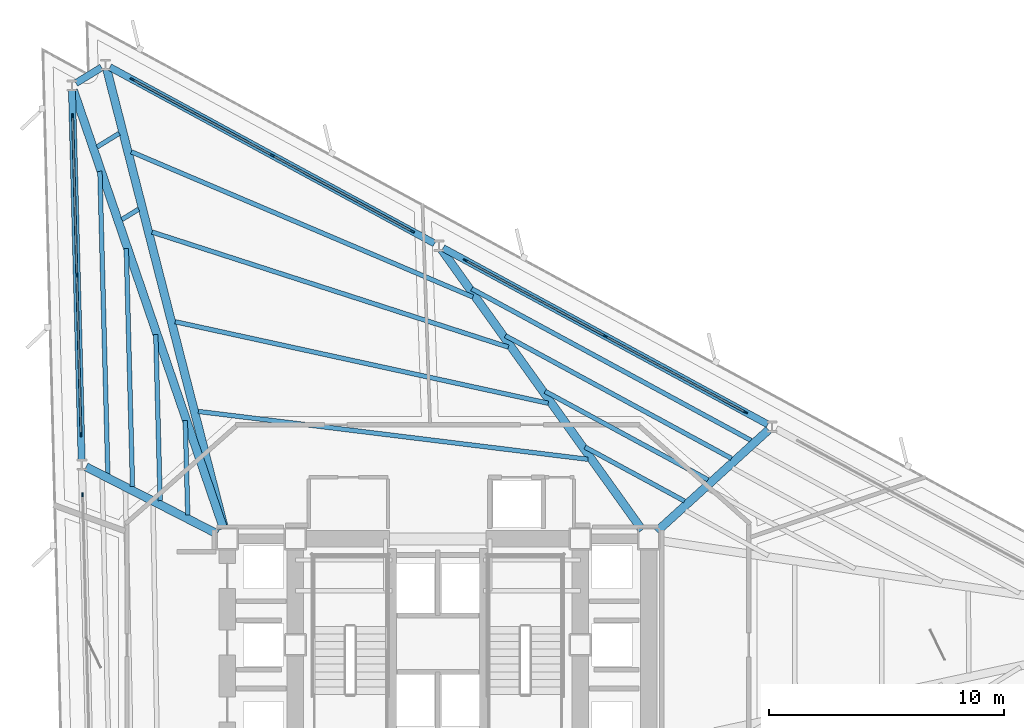
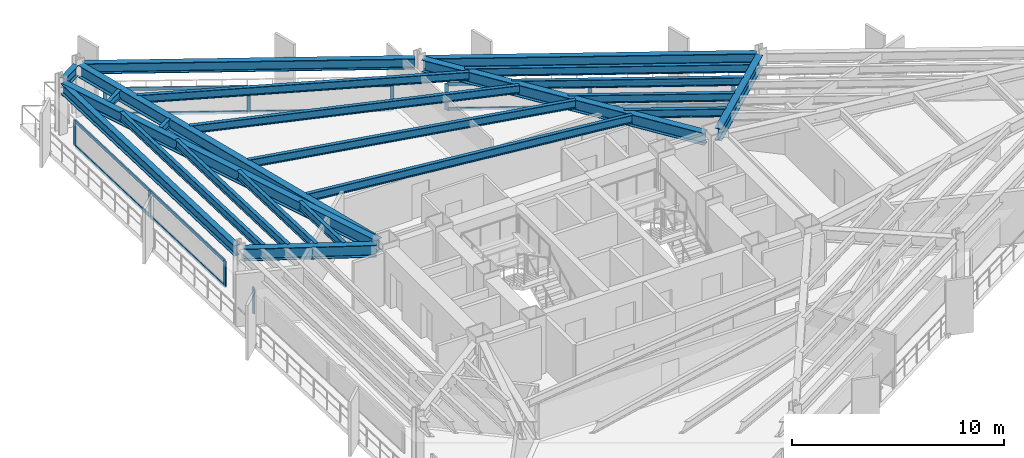
# One storey, part 5 of 14: 23 beams, 22 members, 4 elements without a shape of their own.
"""IFC4 building model written with IfcOpenShell, lengths in metres."""

from ifc_helpers import new_model, si_unit, direction, frame, origin, origin_2d, place, context, subcontext, project, spatial, rectangle, i_section, extrude, material, layer, layer_set, material_profile, profile_set, type_object, element, aggregate, save


model = new_model("IFC4")

# Units and contexts
model_context = context("Model", 3, precision=1e-05, world=origin(), true_north=direction((0.0, 1.0)))
body_context = subcontext(model_context, "Body", "Model", "MODEL_VIEW")
ifc_project = project(units=[si_unit("LENGTHUNIT", "METRE"), si_unit("AREAUNIT", "SQUARE_METRE"), si_unit("VOLUMEUNIT", "CUBIC_METRE"), si_unit("PLANEANGLEUNIT", "RADIAN"), si_unit("MASSUNIT", "GRAM", prefix="KILO")], contexts=[model_context])

# Site, building, storey
site_placement = place(None, origin())
site = spatial("IfcSite", under=ifc_project, at=site_placement, CompositionType="ELEMENT")
building_placement = place(site_placement, origin())
building = spatial("IfcBuilding", under=site, at=building_placement, Name="Rocaltana Carrier Exchange", CompositionType="ELEMENT")
storey_placement = place(building_placement, frame((0.0, 0.0, 42.39990234375)))
storey = spatial("IfcBuildingStorey", under=building, at=storey_placement, Name="L13", CompositionType="ELEMENT", Elevation=42.39990234375)

# Curtain wall, members
ifc_material_1 = material(Name="Aluminium 6063-T6", Category="aluminium")
ifc_layer = layer(ifc_material_1, 0.179931640625)
ifc_layer_set = layer_set([ifc_layer], Name="Aluminium 6063-T6")
curtain_wall_type = type_object("IfcCurtainWallType", Name="Sandstone Spandrel Unitised Curtain Wall CW-01", PredefinedType="NOTDEFINED", material=ifc_layer_set)
curtain_wall_1_placement = place(storey_placement, origin())
curtain_wall_1 = element("IfcCurtainWall", 1, at=curtain_wall_1_placement, inside=storey, type_object=curtain_wall_type, Name="L13 CW-01 Run CW-L13-F1S2", PredefinedType="NOTDEFINED")
ifc_material_2 = material(Name="Aluminium 6063-T6", Category="aluminium")
ifc_material_profile_1 = material_profile(ifc_material_2, rectangle(XDim=0.06494140625, YDim=0.179931640625, at=origin_2d()), Name="AL-65X180")
ifc_profile_set_1 = profile_set([ifc_material_profile_1], Name="Aluminium 6063-T6")
member_type_1 = type_object("IfcMemberType", Name="CW-01 Mullion AL-65X180", PredefinedType="MULLION", material=ifc_profile_set_1)
member_1_placement = place(storey_placement, frame((13.064697265625, 9.87890625, 0.0), z_axis=(0.0, 0.0, 1.0), x_axis=(-0.477164068636, -0.878814230428, 0.0)))
member_1 = element("IfcMember", 2, at=member_1_placement, type_object=member_type_1, Name="CW-01 mullion 1", PredefinedType="MULLION", context=body_context, shape_type="SweptSolid", body=[
    extrude(rectangle(XDim=0.06494140625, YDim=0.179931640625, at=origin_2d()), origin(), (0.0, 0.0, 1.0), 1.498046875),
])
member_2_placement = place(storey_placement, frame((7.1171875, 13.108154296875, 0.0), z_axis=(0.0, 0.0, 1.0), x_axis=(-0.477164068636, -0.878814230428, 0.0)))
member_2 = element("IfcMember", 3, at=member_2_placement, type_object=member_type_1, Name="CW-01 mullion 2", PredefinedType="MULLION", context=body_context, shape_type="SweptSolid", body=[
    extrude(rectangle(XDim=0.06494140625, YDim=0.179931640625, at=origin_2d()), origin(), (0.0, 0.0, 1.0), 1.498046875),
])
member_3_placement = place(storey_placement, frame((1.169677734375, 16.33740234375, 0.0), z_axis=(0.0, 0.0, 1.0), x_axis=(-0.477164068636, -0.878814230428, 0.0)))
member_3 = element("IfcMember", 4, at=member_3_placement, type_object=member_type_1, Name="CW-01 mullion 3", PredefinedType="MULLION", context=body_context, shape_type="SweptSolid", body=[
    extrude(rectangle(XDim=0.06494140625, YDim=0.179931640625, at=origin_2d()), origin(), (0.0, 0.0, 1.0), 1.498046875),
])

curtain_wall_2_placement = place(storey_placement, origin())
curtain_wall_2 = element("IfcCurtainWall", 5, at=curtain_wall_2_placement, inside=storey, type_object=curtain_wall_type, Name="L13 CW-01 Run CW-L13-F1S3", PredefinedType="NOTDEFINED")
member_4_placement = place(storey_placement, frame((-1.08447265625, 17.5615234375, 0.0), z_axis=(0.0, 0.0, 1.0), x_axis=(-0.477155794406, -0.878818722982, 0.0)))
member_4 = element("IfcMember", 6, at=member_4_placement, type_object=member_type_1, Name="CW-01 mullion 1", PredefinedType="MULLION", context=body_context, shape_type="SweptSolid", body=[
    extrude(rectangle(XDim=0.06494140625, YDim=0.179931640625, at=origin_2d()), origin(), (0.0, 0.0, 1.0), 1.498046875),
])
member_5_placement = place(storey_placement, frame((-7.03173828125, 20.79052734375, 0.0), z_axis=(0.0, 0.0, 1.0), x_axis=(-0.477155794406, -0.878818722982, 0.0)))
member_5 = element("IfcMember", 7, at=member_5_placement, type_object=member_type_1, Name="CW-01 mullion 2", PredefinedType="MULLION", context=body_context, shape_type="SweptSolid", body=[
    extrude(rectangle(XDim=0.06494140625, YDim=0.179931640625, at=origin_2d()), origin(), (0.0, 0.0, 1.0), 1.498046875),
])
member_6_placement = place(storey_placement, frame((-12.979248046875, 24.019775390625, 0.0), z_axis=(0.0, 0.0, 1.0), x_axis=(-0.477155794406, -0.878818722982, 0.0)))
member_6 = element("IfcMember", 8, at=member_6_placement, type_object=member_type_1, Name="CW-01 mullion 3", PredefinedType="MULLION", context=body_context, shape_type="SweptSolid", body=[
    extrude(rectangle(XDim=0.06494140625, YDim=0.179931640625, at=origin_2d()), origin(), (0.0, 0.0, 1.0), 1.498046875),
])

curtain_wall_3_placement = place(storey_placement, origin())
curtain_wall_3 = element("IfcCurtainWall", 9, at=curtain_wall_3_placement, inside=storey, type_object=curtain_wall_type, Name="L13 CW-01 Run CW-L13-F2S1", PredefinedType="NOTDEFINED")
member_7_placement = place(storey_placement, frame((-15.50927734375, 22.46923828125, 0.0), z_axis=(0.0, 0.0, 1.0), x_axis=(0.999657143044, 0.026183895077, 0.0)))
member_7 = element("IfcMember", 10, at=member_7_placement, type_object=member_type_1, Name="CW-01 mullion 1", PredefinedType="MULLION", context=body_context, shape_type="SweptSolid", body=[
    extrude(rectangle(XDim=0.06494140625, YDim=0.179931640625, at=origin_2d()), origin(), (0.0, 0.0, 1.0), 1.498046875),
])
member_8_placement = place(storey_placement, frame((-15.33203125, 15.7041015625, 0.0), z_axis=(0.0, 0.0, 1.0), x_axis=(0.999657143044, 0.026183895077, 0.0)))
member_8 = element("IfcMember", 11, at=member_8_placement, type_object=member_type_1, Name="CW-01 mullion 2", PredefinedType="MULLION", context=body_context, shape_type="SweptSolid", body=[
    extrude(rectangle(XDim=0.06494140625, YDim=0.179931640625, at=origin_2d()), origin(), (0.0, 0.0, 1.0), 1.498046875),
])
member_9_placement = place(storey_placement, frame((-15.155029296875, 8.93896484375, 0.0), z_axis=(0.0, 0.0, 1.0), x_axis=(0.999657143044, 0.026183895077, 0.0)))
member_9 = element("IfcMember", 12, at=member_9_placement, type_object=member_type_1, Name="CW-01 mullion 3", PredefinedType="MULLION", context=body_context, shape_type="SweptSolid", body=[
    extrude(rectangle(XDim=0.06494140625, YDim=0.179931640625, at=origin_2d()), origin(), (0.0, 0.0, 1.0), 1.498046875),
])

# Curtain wall, member
curtain_wall_4_placement = place(storey_placement, origin())
curtain_wall_4 = element("IfcCurtainWall", 13, at=curtain_wall_4_placement, inside=storey, type_object=curtain_wall_type, Name="L13 CW-01 Run CW-L13-F2S2", PredefinedType="NOTDEFINED")
member_10_placement = place(storey_placement, frame((-15.087890625, 6.374755859375, 0.0), z_axis=(0.0, 0.0, 1.0), x_axis=(0.99965733548, 0.026176547142, 0.0)))
member_10 = element("IfcMember", 14, at=member_10_placement, type_object=member_type_1, Name="CW-01 mullion 1", PredefinedType="MULLION", context=body_context, shape_type="SweptSolid", body=[
    extrude(rectangle(XDim=0.06494140625, YDim=0.179931640625, at=origin_2d()), origin(), (0.0, 0.0, 1.0), 1.498046875),
])
aggregate(curtain_wall_4, [member_10])

# Member
ifc_material_3 = material(Name="Aluminium 6063-T6", Category="aluminium")
ifc_material_profile_2 = material_profile(ifc_material_3, rectangle(XDim=0.06494140625, YDim=0.179931640625, at=origin_2d()), Name="AL-65X180")
ifc_profile_set_2 = profile_set([ifc_material_profile_2], Name="Aluminium 6063-T6")
member_type_2 = type_object("IfcMemberType", Name="CW-01 Transom AL-65X180", PredefinedType="USERDEFINED", material=ifc_profile_set_2)
member_11_placement = place(storey_placement, frame((13.0361328125, 9.89453125, 0.03271484375), z_axis=(-0.878815465576, 0.477161793802, 0.0), x_axis=(-0.477161793802, -0.878815465576, 0.0)))
member_11 = element("IfcMember", 15, at=member_11_placement, type_object=member_type_2, Name="CW-01 transom 1.1", ObjectType="TRANSOM", PredefinedType="USERDEFINED", context=body_context, shape_type="SweptSolid", body=[
    extrude(rectangle(XDim=0.06494140625, YDim=0.179931640625, at=origin_2d()), origin(), (0.0, 0.0, 1.0), 6.70263671875),
])

member_12_placement = place(storey_placement, frame((13.0361328125, 9.89453125, 1.465576171875), z_axis=(-0.878815465576, 0.477161793802, 0.0), x_axis=(-0.477161793802, -0.878815465576, 0.0)))
member_12 = element("IfcMember", 16, at=member_12_placement, type_object=member_type_2, Name="CW-01 transom 1.2", ObjectType="TRANSOM", PredefinedType="USERDEFINED", context=body_context, shape_type="SweptSolid", body=[
    extrude(rectangle(XDim=0.06494140625, YDim=0.179931640625, at=origin_2d()), origin(), (0.0, 0.0, 1.0), 6.70263671875),
])

member_13_placement = place(storey_placement, frame((7.088623046875, 13.123779296875, 0.03271484375), z_axis=(-0.878815465576, 0.477161793802, 0.0), x_axis=(-0.477161793802, -0.878815465576, 0.0)))
member_13 = element("IfcMember", 17, at=member_13_placement, type_object=member_type_2, Name="CW-01 transom 2.1", ObjectType="TRANSOM", PredefinedType="USERDEFINED", context=body_context, shape_type="SweptSolid", body=[
    extrude(rectangle(XDim=0.06494140625, YDim=0.179931640625, at=origin_2d()), origin(), (0.0, 0.0, 1.0), 6.70263671875),
])

member_14_placement = place(storey_placement, frame((7.088623046875, 13.123779296875, 1.465576171875), z_axis=(-0.878815465576, 0.477161793802, 0.0), x_axis=(-0.477161793802, -0.878815465576, 0.0)))
member_14 = element("IfcMember", 18, at=member_14_placement, type_object=member_type_2, Name="CW-01 transom 2.2", ObjectType="TRANSOM", PredefinedType="USERDEFINED", context=body_context, shape_type="SweptSolid", body=[
    extrude(rectangle(XDim=0.06494140625, YDim=0.179931640625, at=origin_2d()), origin(), (0.0, 0.0, 1.0), 6.70263671875),
])

aggregate(curtain_wall_1, [member_1, member_2, member_3, member_11, member_12, member_13, member_14])

member_15_placement = place(storey_placement, frame((-1.113037109375, 17.576904296875, 0.03271484375), z_axis=(-0.87880717191, 0.477177068392, 0.0), x_axis=(-0.477177068392, -0.87880717191, 0.0)))
member_15 = element("IfcMember", 19, at=member_15_placement, type_object=member_type_2, Name="CW-01 transom 1.1", ObjectType="TRANSOM", PredefinedType="USERDEFINED", context=body_context, shape_type="SweptSolid", body=[
    extrude(rectangle(XDim=0.06494140625, YDim=0.179931640625, at=origin_2d()), origin(), (0.0, 0.0, 1.0), 6.702392578125),
])

member_16_placement = place(storey_placement, frame((-1.113037109375, 17.576904296875, 1.465576171875), z_axis=(-0.87880717191, 0.477177068392, 0.0), x_axis=(-0.477177068392, -0.87880717191, 0.0)))
member_16 = element("IfcMember", 20, at=member_16_placement, type_object=member_type_2, Name="CW-01 transom 1.2", ObjectType="TRANSOM", PredefinedType="USERDEFINED", context=body_context, shape_type="SweptSolid", body=[
    extrude(rectangle(XDim=0.06494140625, YDim=0.179931640625, at=origin_2d()), origin(), (0.0, 0.0, 1.0), 6.702392578125),
])

member_17_placement = place(storey_placement, frame((-7.060302734375, 20.80615234375, 0.03271484375), z_axis=(-0.878830739565, 0.477133661772, 0.0), x_axis=(-0.477133661772, -0.878830739565, 0.0)))
member_17 = element("IfcMember", 21, at=member_17_placement, type_object=member_type_2, Name="CW-01 transom 2.1", ObjectType="TRANSOM", PredefinedType="USERDEFINED", context=body_context, shape_type="SweptSolid", body=[
    extrude(rectangle(XDim=0.06494140625, YDim=0.179931640625, at=origin_2d()), origin(), (0.0, 0.0, 1.0), 6.70263671875),
])

member_18_placement = place(storey_placement, frame((-7.060302734375, 20.80615234375, 1.465576171875), z_axis=(-0.878830739565, 0.477133661772, 0.0), x_axis=(-0.477133661772, -0.878830739565, 0.0)))
member_18 = element("IfcMember", 22, at=member_18_placement, type_object=member_type_2, Name="CW-01 transom 2.2", ObjectType="TRANSOM", PredefinedType="USERDEFINED", context=body_context, shape_type="SweptSolid", body=[
    extrude(rectangle(XDim=0.06494140625, YDim=0.179931640625, at=origin_2d()), origin(), (0.0, 0.0, 1.0), 6.70263671875),
])

aggregate(curtain_wall_2, [member_4, member_5, member_6, member_15, member_16, member_17, member_18])

member_19_placement = place(storey_placement, frame((-15.508544921875, 22.436767578125, 0.03271484375), z_axis=(0.026189818331, -0.999656987879, 0.0), x_axis=(0.999656987879, 0.026189818331, 0.0)))
member_19 = element("IfcMember", 23, at=member_19_placement, type_object=member_type_2, Name="CW-01 transom 1.1", ObjectType="TRANSOM", PredefinedType="USERDEFINED", context=body_context, shape_type="SweptSolid", body=[
    extrude(rectangle(XDim=0.06494140625, YDim=0.179931640625, at=origin_2d()), origin(), (0.0, 0.0, 1.0), 6.702392578125),
])

member_20_placement = place(storey_placement, frame((-15.508544921875, 22.436767578125, 1.465576171875), z_axis=(0.026189818331, -0.999656987879, 0.0), x_axis=(0.999656987879, 0.026189818331, 0.0)))
member_20 = element("IfcMember", 24, at=member_20_placement, type_object=member_type_2, Name="CW-01 transom 1.2", ObjectType="TRANSOM", PredefinedType="USERDEFINED", context=body_context, shape_type="SweptSolid", body=[
    extrude(rectangle(XDim=0.06494140625, YDim=0.179931640625, at=origin_2d()), origin(), (0.0, 0.0, 1.0), 6.702392578125),
])

member_21_placement = place(storey_placement, frame((-15.331298828125, 15.671630859375, 0.03271484375), z_axis=(0.026189818331, -0.999656987879, 0.0), x_axis=(0.999656987879, 0.026189818331, 0.0)))
member_21 = element("IfcMember", 25, at=member_21_placement, type_object=member_type_2, Name="CW-01 transom 2.1", ObjectType="TRANSOM", PredefinedType="USERDEFINED", context=body_context, shape_type="SweptSolid", body=[
    extrude(rectangle(XDim=0.06494140625, YDim=0.179931640625, at=origin_2d()), origin(), (0.0, 0.0, 1.0), 6.702392578125),
])

member_22_placement = place(storey_placement, frame((-15.331298828125, 15.671630859375, 1.465576171875), z_axis=(0.026189818331, -0.999656987879, 0.0), x_axis=(0.999656987879, 0.026189818331, 0.0)))
member_22 = element("IfcMember", 26, at=member_22_placement, type_object=member_type_2, Name="CW-01 transom 2.2", ObjectType="TRANSOM", PredefinedType="USERDEFINED", context=body_context, shape_type="SweptSolid", body=[
    extrude(rectangle(XDim=0.06494140625, YDim=0.179931640625, at=origin_2d()), origin(), (0.0, 0.0, 1.0), 6.702392578125),
])

aggregate(curtain_wall_3, [member_7, member_8, member_9, member_19, member_20, member_21, member_22])

# Beams
ifc_material_4 = material(Name="Steel S355", Category="steel")
ifc_material_profile_3 = material_profile(ifc_material_4, i_section(OverallWidth=0.193115234375, OverallDepth=0.466064453125, WebThickness=0.011474609375, FlangeThickness=0.01904296875, FilletRadius=0.013916015625, at=origin_2d()), Name="W18X65")
ifc_profile_set_3 = profile_set([ifc_material_profile_3], Name="Steel S355")
beam_type_1 = type_object("IfcBeamType", Name="Floor Joist W18X65", PredefinedType="JOIST", material=ifc_profile_set_3)
beam_1_placement = place(storey_placement, frame((10.4765625, 6.107421875, 2.80517578125), z_axis=(-0.87880781256, 0.477175888518, 0.0), x_axis=(-0.477175888518, -0.87880781256, 0.0)))
element("IfcBeam", 27, at=beam_1_placement, inside=storey, type_object=beam_type_1, Name="FJ-L13-02-1", PredefinedType="JOIST", context=body_context, shape_type="SweptSolid", body=[
    extrude(i_section(OverallWidth=0.193115234375, OverallDepth=0.466064453125, WebThickness=0.011474609375, FlangeThickness=0.01904296875, FilletRadius=0.013916015625, at=origin_2d()), origin(), (0.0, 0.0, 1.0), 4.808837890625),
])
beam_2_placement = place(storey_placement, frame((11.472412109375, 7.01318359375, 2.80517578125), z_axis=(-0.878817742056, 0.477157601059, 0.0), x_axis=(-0.477157601059, -0.878817742056, 0.0)))
element("IfcBeam", 28, at=beam_2_placement, inside=storey, type_object=beam_type_1, Name="FJ-L13-02-2", PredefinedType="JOIST", context=body_context, shape_type="SweptSolid", body=[
    extrude(i_section(OverallWidth=0.193115234375, OverallDepth=0.466064453125, WebThickness=0.011474609375, FlangeThickness=0.01904296875, FilletRadius=0.013916015625, at=origin_2d()), origin(), (0.0, 0.0, 1.0), 7.86767578125),
])
beam_3_placement = place(storey_placement, frame((12.468505859375, 7.918701171875, 2.80517578125), z_axis=(-0.878813547662, 0.477165326115, 0.0), x_axis=(-0.477165326115, -0.878813547662, 0.0)))
element("IfcBeam", 29, at=beam_3_placement, inside=storey, type_object=beam_type_1, Name="FJ-L13-02-3", PredefinedType="JOIST", context=body_context, shape_type="SweptSolid", body=[
    extrude(i_section(OverallWidth=0.193115234375, OverallDepth=0.466064453125, WebThickness=0.011474609375, FlangeThickness=0.01904296875, FilletRadius=0.013916015625, at=origin_2d()), origin(), (0.0, 0.0, 1.0), 10.92724609375),
])
beam_4_placement = place(storey_placement, frame((13.30712890625, 8.681396484375, 2.80517578125), z_axis=(-0.878808808583, 0.477174054152, 0.0), x_axis=(-0.477174054152, -0.878808808583, 0.0)))
element("IfcBeam", 30, at=beam_4_placement, inside=storey, type_object=beam_type_1, Name="FJ-L13-02-4", PredefinedType="JOIST", context=body_context, shape_type="SweptSolid", body=[
    extrude(i_section(OverallWidth=0.193115234375, OverallDepth=0.466064453125, WebThickness=0.011474609375, FlangeThickness=0.01904296875, FilletRadius=0.013916015625, at=origin_2d()), origin(), (0.0, 0.0, 1.0), 13.503173828125),
])
beam_5_placement = place(storey_placement, frame((6.374755859375, 7.882080078125, 2.80517578125), z_axis=(-0.992538792143, 0.121929266752, 0.0), x_axis=(-0.121929266752, -0.992538792143, 0.0)))
element("IfcBeam", 31, at=beam_5_placement, inside=storey, type_object=beam_type_1, Name="FJ-L13-03-1", PredefinedType="JOIST", context=body_context, shape_type="SweptSolid", body=[
    extrude(i_section(OverallWidth=0.193115234375, OverallDepth=0.466064453125, WebThickness=0.011474609375, FlangeThickness=0.01904296875, FilletRadius=0.013916015625, at=origin_2d()), origin(), (0.0, 0.0, 1.0), 16.671142578125),
])
beam_6_placement = place(storey_placement, frame((4.68505859375, 10.26318359375, 2.80517578125), z_axis=(-0.976950483749, 0.213466044848, 0.0), x_axis=(-0.213466044848, -0.976950483749, 0.0)))
element("IfcBeam", 32, at=beam_6_placement, inside=storey, type_object=beam_type_1, Name="FJ-L13-03-2", PredefinedType="JOIST", context=body_context, shape_type="SweptSolid", body=[
    extrude(i_section(OverallWidth=0.193115234375, OverallDepth=0.466064453125, WebThickness=0.011474609375, FlangeThickness=0.01904296875, FilletRadius=0.013916015625, at=origin_2d()), origin(), (0.0, 0.0, 1.0), 16.213134765625),
])
beam_7_placement = place(storey_placement, frame((2.9970703125, 12.644775390625, 2.80517578125), z_axis=(-0.951601211607, 0.307335539872, 0.0), x_axis=(-0.307335539872, -0.951601211607, 0.0)))
element("IfcBeam", 33, at=beam_7_placement, inside=storey, type_object=beam_type_1, Name="FJ-L13-03-3", PredefinedType="JOIST", context=body_context, shape_type="SweptSolid", body=[
    extrude(i_section(OverallWidth=0.193115234375, OverallDepth=0.466064453125, WebThickness=0.011474609375, FlangeThickness=0.01904296875, FilletRadius=0.013916015625, at=origin_2d()), origin(), (0.0, 0.0, 1.0), 15.905029296875),
])
beam_8_placement = place(storey_placement, frame((1.48828125, 14.775634765625, 2.80517578125), z_axis=(-0.920350290518, 0.391095055891, 0.0), x_axis=(-0.391095055891, -0.920350290518, 0.0)))
element("IfcBeam", 34, at=beam_8_placement, inside=storey, type_object=beam_type_1, Name="FJ-L13-03-4", PredefinedType="JOIST", context=body_context, shape_type="SweptSolid", body=[
    extrude(i_section(OverallWidth=0.193115234375, OverallDepth=0.466064453125, WebThickness=0.011474609375, FlangeThickness=0.01904296875, FilletRadius=0.013916015625, at=origin_2d()), origin(), (0.0, 0.0, 1.0), 15.76416015625),
])
beam_9_placement = place(storey_placement, frame((-12.70556640625, 18.502685546875, 2.80517578125), z_axis=(-0.852508958132, -0.522712613493, 0.0), x_axis=(0.522712613493, -0.852508958132, 0.0)))
element("IfcBeam", 35, at=beam_9_placement, inside=storey, type_object=beam_type_1, Name="FJ-L13-04-3", PredefinedType="JOIST", context=body_context, shape_type="SweptSolid", body=[
    extrude(i_section(OverallWidth=0.193115234375, OverallDepth=0.466064453125, WebThickness=0.011474609375, FlangeThickness=0.01904296875, FilletRadius=0.013916015625, at=origin_2d()), origin(), (0.0, 0.0, 1.0), 0.83642578125),
])
beam_10_placement = place(storey_placement, frame((-13.530517578125, 21.7236328125, 2.80517578125), z_axis=(-0.852664692341, -0.52245853657, 0.0), x_axis=(0.52245853657, -0.852664692341, 0.0)))
element("IfcBeam", 36, at=beam_10_placement, inside=storey, type_object=beam_type_1, Name="FJ-L13-04-4", PredefinedType="JOIST", context=body_context, shape_type="SweptSolid", body=[
    extrude(i_section(OverallWidth=0.193115234375, OverallDepth=0.466064453125, WebThickness=0.011474609375, FlangeThickness=0.01904296875, FilletRadius=0.013916015625, at=origin_2d()), origin(), (0.0, 0.0, 1.0), 1.106201171875),
])
beam_11_placement = place(storey_placement, frame((-10.7255859375, 9.5263671875, 2.80517578125), z_axis=(0.02615756085, -0.999657832466, 0.0), x_axis=(0.999657832466, 0.02615756085, 0.0)))
element("IfcBeam", 37, at=beam_11_placement, inside=storey, type_object=beam_type_1, Name="FJ-L13-05-1", PredefinedType="JOIST", context=body_context, shape_type="SweptSolid", body=[
    extrude(i_section(OverallWidth=0.193115234375, OverallDepth=0.466064453125, WebThickness=0.011474609375, FlangeThickness=0.01904296875, FilletRadius=0.013916015625, at=origin_2d()), origin(), (0.0, 0.0, 1.0), 4.004150390625),
])
beam_12_placement = place(storey_placement, frame((-11.978271484375, 13.18408203125, 2.80517578125), z_axis=(0.026201236861, -0.999656688662, 0.0), x_axis=(0.999656688662, 0.026201236861, 0.0)))
element("IfcBeam", 38, at=beam_12_placement, inside=storey, type_object=beam_type_1, Name="FJ-L13-05-2", PredefinedType="JOIST", context=body_context, shape_type="SweptSolid", body=[
    extrude(i_section(OverallWidth=0.193115234375, OverallDepth=0.466064453125, WebThickness=0.011474609375, FlangeThickness=0.01904296875, FilletRadius=0.013916015625, at=origin_2d()), origin(), (0.0, 0.0, 1.0), 7.06298828125),
])
beam_13_placement = place(storey_placement, frame((-13.23095703125, 16.841796875, 2.80517578125), z_axis=(0.026194410862, -0.99965686755, 0.0), x_axis=(0.99965686755, 0.026194410862, 0.0)))
element("IfcBeam", 39, at=beam_13_placement, inside=storey, type_object=beam_type_1, Name="FJ-L13-05-3", PredefinedType="JOIST", context=body_context, shape_type="SweptSolid", body=[
    extrude(i_section(OverallWidth=0.193115234375, OverallDepth=0.466064453125, WebThickness=0.011474609375, FlangeThickness=0.01904296875, FilletRadius=0.013916015625, at=origin_2d()), origin(), (0.0, 0.0, 1.0), 10.121826171875),
])
beam_14_placement = place(storey_placement, frame((-14.351806640625, 20.114501953125, 2.80517578125), z_axis=(0.026200832731, -0.999656699254, 0.0), x_axis=(0.999656699254, 0.026200832731, 0.0)))
element("IfcBeam", 40, at=beam_14_placement, inside=storey, type_object=beam_type_1, Name="FJ-L13-05-4", PredefinedType="JOIST", context=body_context, shape_type="SweptSolid", body=[
    extrude(i_section(OverallWidth=0.193115234375, OverallDepth=0.466064453125, WebThickness=0.011474609375, FlangeThickness=0.01904296875, FilletRadius=0.013916015625, at=origin_2d()), origin(), (0.0, 0.0, 1.0), 12.85888671875),
])
ifc_material_5 = material(Name="Steel S355", Category="steel")
ifc_material_profile_4 = material_profile(ifc_material_5, i_section(OverallWidth=0.35498046875, OverallDepth=0.695068359375, WebThickness=0.015380859375, FlangeThickness=0.02490234375, FilletRadius=0.01806640625, at=origin_2d()), Name="W27X146")
ifc_profile_set_4 = profile_set([ifc_material_profile_4], Name="Steel S355")
beam_type_2 = type_object("IfcBeamType", Name="Radial Girder W27X146", PredefinedType="BEAM", material=ifc_profile_set_4)
beam_15_placement = place(storey_placement, frame((9.29541015625, 4.814208984375, 2.690673828125), z_axis=(0.739807445463, 0.672818655834, 0.0), x_axis=(-0.672818655834, 0.739807445463, 0.0)))
element("IfcBeam", 41, at=beam_15_placement, inside=storey, type_object=beam_type_2, Name="RG-L13-02", PredefinedType="BEAM", context=body_context, shape_type="SweptSolid", body=[
    extrude(i_section(OverallWidth=0.35498046875, OverallDepth=0.695068359375, WebThickness=0.015380859375, FlangeThickness=0.02490234375, FilletRadius=0.01806640625, at=origin_2d()), origin(), (0.0, 0.0, 1.0), 6.414306640625),
])
beam_16_placement = place(storey_placement, frame((8.67822265625, 4.8798828125, 2.690673828125), z_axis=(-0.581884927031, 0.813271130493, 0.0), x_axis=(-0.813271130493, -0.581884927031, 0.0)))
element("IfcBeam", 42, at=beam_16_placement, inside=storey, type_object=beam_type_2, Name="RG-L13-03", PredefinedType="BEAM", context=body_context, shape_type="SweptSolid", body=[
    extrude(i_section(OverallWidth=0.35498046875, OverallDepth=0.695068359375, WebThickness=0.015380859375, FlangeThickness=0.02490234375, FilletRadius=0.01806640625, at=origin_2d()), origin(), (0.0, 0.0, 1.0), 14.63671875),
])
beam_17_placement = place(storey_placement, frame((-9.06591796875, 4.952392578125, 2.690673828125), z_axis=(-0.248115976649, 0.968730335094, 0.0), x_axis=(-0.968730335094, -0.248115976649, 0.0)))
element("IfcBeam", 43, at=beam_17_placement, inside=storey, type_object=beam_type_2, Name="RG-L13-04", PredefinedType="BEAM", context=body_context, shape_type="SweptSolid", body=[
    extrude(i_section(OverallWidth=0.35498046875, OverallDepth=0.695068359375, WebThickness=0.015380859375, FlangeThickness=0.02490234375, FilletRadius=0.01806640625, at=origin_2d()), origin(), (0.0, 0.0, 1.0), 20.110595703125),
])
beam_18_placement = place(storey_placement, frame((-9.101318359375, 4.94189453125, 2.690673828125), z_axis=(-0.323992518523, 0.946059642909, 0.0), x_axis=(-0.946059642909, -0.323992518523, 0.0)))
element("IfcBeam", 44, at=beam_18_placement, inside=storey, type_object=beam_type_2, Name="RG-L13-05", PredefinedType="BEAM", context=body_context, shape_type="SweptSolid", body=[
    extrude(i_section(OverallWidth=0.35498046875, OverallDepth=0.695068359375, WebThickness=0.015380859375, FlangeThickness=0.02490234375, FilletRadius=0.01806640625, at=origin_2d()), origin(), (0.0, 0.0, 1.0), 19.677978515625),
])
beam_19_placement = place(storey_placement, frame((-9.36572265625, 4.712646484375, 2.690673828125), z_axis=(-0.890279416512, 0.455414712691, 0.0), x_axis=(-0.455414712691, -0.890279416512, 0.0)))
element("IfcBeam", 45, at=beam_19_placement, inside=storey, type_object=beam_type_2, Name="RG-L13-06", PredefinedType="BEAM", context=body_context, shape_type="SweptSolid", body=[
    extrude(i_section(OverallWidth=0.35498046875, OverallDepth=0.695068359375, WebThickness=0.015380859375, FlangeThickness=0.02490234375, FilletRadius=0.01806640625, at=origin_2d()), origin(), (0.0, 0.0, 1.0), 6.260986328125),
])
ifc_material_6 = material(Name="Steel S355", Category="steel")
ifc_material_profile_5 = material_profile(ifc_material_6, i_section(OverallWidth=0.300048828125, OverallDepth=0.60009765625, WebThickness=0.015380859375, FlangeThickness=0.030029296875, FilletRadius=0.027099609375, at=origin_2d()), Name="HEB600")
ifc_profile_set_5 = profile_set([ifc_material_profile_5], Name="Steel S355")
beam_type_3 = type_object("IfcBeamType", Name="Spandrel Edge Beam HEB600", PredefinedType="SPANDREL", material=ifc_profile_set_5)
beam_20_placement = place(storey_placement, frame((14.012451171875, 9.364501953125, 2.738037109375), z_axis=(-0.878819693906, 0.477154006168, 0.0), x_axis=(-0.477154006168, -0.878819693906, 0.0)))
element("IfcBeam", 46, at=beam_20_placement, inside=storey, type_object=beam_type_3, Name="SP-L13-02", PredefinedType="SPANDREL", context=body_context, shape_type="SweptSolid", body=[
    extrude(i_section(OverallWidth=0.300048828125, OverallDepth=0.60009765625, WebThickness=0.015380859375, FlangeThickness=0.030029296875, FilletRadius=0.027099609375, at=origin_2d()), origin(), (0.0, 0.0, 1.0), 15.692138671875),
])
beam_21_placement = place(storey_placement, frame((-0.13671875, 17.046630859375, 2.738037109375), z_axis=(-0.878809627373, 0.47717254619, 0.0), x_axis=(-0.47717254619, -0.878809627373, 0.0)))
element("IfcBeam", 47, at=beam_21_placement, inside=storey, type_object=beam_type_3, Name="SP-L13-03", PredefinedType="SPANDREL", context=body_context, shape_type="SweptSolid", body=[
    extrude(i_section(OverallWidth=0.300048828125, OverallDepth=0.60009765625, WebThickness=0.015380859375, FlangeThickness=0.030029296875, FilletRadius=0.027099609375, at=origin_2d()), origin(), (0.0, 0.0, 1.0), 15.69189453125),
])
beam_22_placement = place(storey_placement, frame((-14.280029296875, 24.525146484375, 2.738037109375), z_axis=(-0.852647958585, -0.522485845474, 0.0), x_axis=(0.522485845474, -0.852647958585, 0.0)))
element("IfcBeam", 48, at=beam_22_placement, inside=storey, type_object=beam_type_3, Name="SP-L13-04", PredefinedType="SPANDREL", context=body_context, shape_type="SweptSolid", body=[
    extrude(i_section(OverallWidth=0.300048828125, OverallDepth=0.60009765625, WebThickness=0.015380859375, FlangeThickness=0.030029296875, FilletRadius=0.027099609375, at=origin_2d()), origin(), (0.0, 0.0, 1.0), 1.277099609375),
])
beam_23_placement = place(storey_placement, frame((-15.53759765625, 23.54736328125, 2.738037109375), z_axis=(0.026184348618, -0.999657131164, 0.0), x_axis=(0.999657131164, 0.026184348618, 0.0)))
element("IfcBeam", 49, at=beam_23_placement, inside=storey, type_object=beam_type_3, Name="SP-L13-05", PredefinedType="SPANDREL", context=body_context, shape_type="SweptSolid", body=[
    extrude(i_section(OverallWidth=0.300048828125, OverallDepth=0.60009765625, WebThickness=0.015380859375, FlangeThickness=0.030029296875, FilletRadius=0.027099609375, at=origin_2d()), origin(), (0.0, 0.0, 1.0), 15.692138671875),
])

save(model, "model.ifc")
